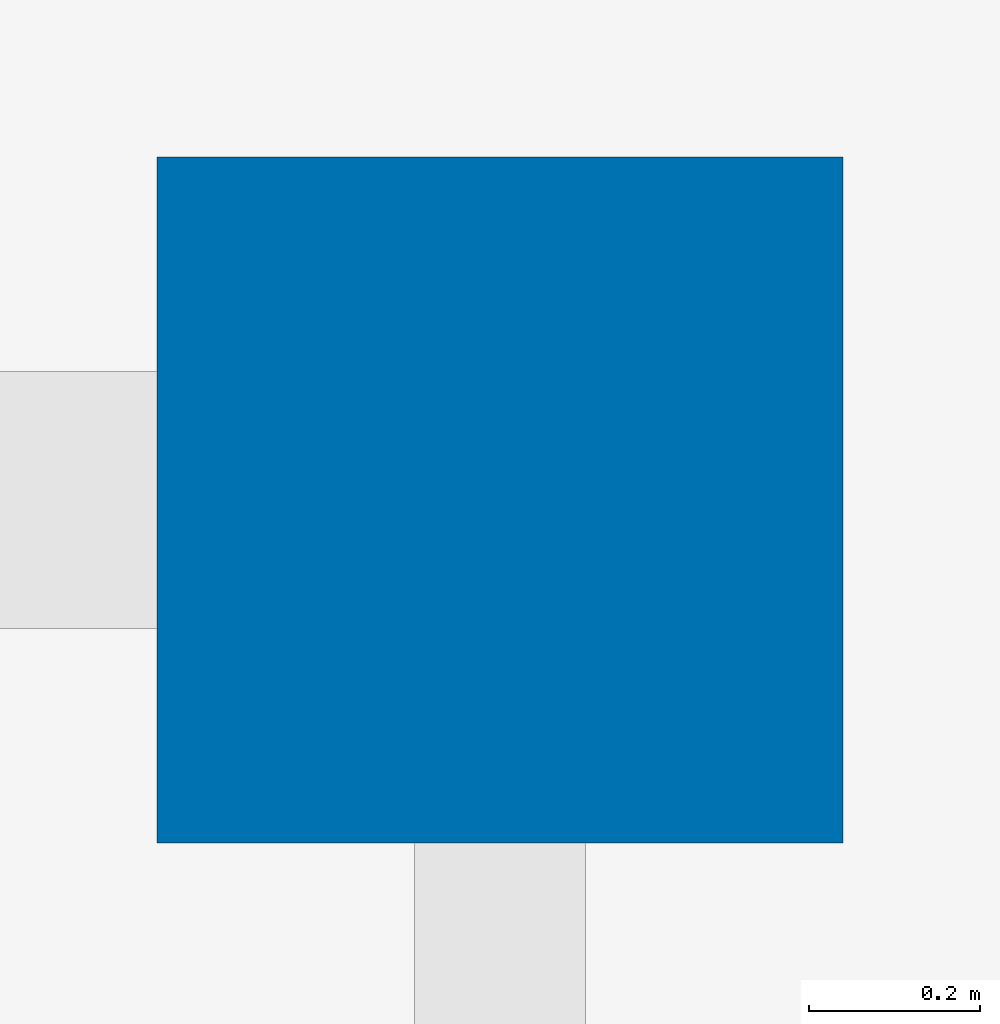
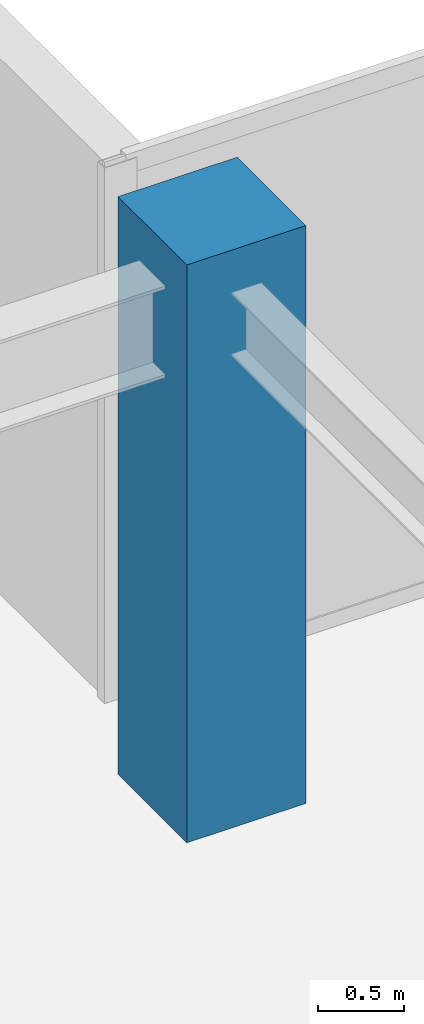
# One storey, part 4 of 33: 1 column.
"""IFC4 building model written with IfcOpenShell, lengths in metres."""

from ifc_helpers import new_model, si_unit, direction, frame, origin, origin_2d, place, context, subcontext, project, spatial, rectangle, extrude, source, transform, mapped, material, material_profile, profile_set, type_object, type_shapes, element, save


model = new_model("IFC4")

# Units and contexts
model_context = context("Model", 3, precision=1e-05, world=origin(), true_north=direction((0.0, 1.0)))
body_context = subcontext(model_context, "Body", "Model", "MODEL_VIEW")
ifc_project = project(units=[si_unit("LENGTHUNIT", "METRE"), si_unit("AREAUNIT", "SQUARE_METRE"), si_unit("VOLUMEUNIT", "CUBIC_METRE"), si_unit("PLANEANGLEUNIT", "RADIAN"), si_unit("MASSUNIT", "GRAM", prefix="KILO")], contexts=[model_context])

# Site, building, storey
site_placement = place(None, origin())
site = spatial("IfcSite", under=ifc_project, at=site_placement, CompositionType="ELEMENT")
building_placement = place(site_placement, origin())
building = spatial("IfcBuilding", under=site, at=building_placement, Name="Haelvirn Gate Laboratories", CompositionType="ELEMENT")
storey_placement = place(building_placement, frame((0.0, 0.0, 271.10009765625)))
storey = spatial("IfcBuildingStorey", under=building, at=storey_placement, Name="L65", CompositionType="ELEMENT", Elevation=271.10009765625)

# Column
ifc_material = material(Name="Concrete C50/60", Category="concrete")
ifc_material_profile = material_profile(ifc_material, rectangle(XDim=0.800048828125, YDim=0.800048828125, at=origin_2d()), Name="RC-800x800")
ifc_profile_set = profile_set([ifc_material_profile], Name="Concrete C50/60")
column_type = type_object("IfcColumnType", Name="COL-RC-800", PredefinedType="COLUMN", material=ifc_profile_set)
shared_shape = source(origin(), body_context, "Body", "SweptSolid", [
    extrude(rectangle(XDim=0.800048828125, YDim=0.800048828125, at=origin_2d()), origin(), (0.0, 0.0, 1.0), 4.099853515625),
])
type_shapes(column_type, [shared_shape])
column_placement = place(storey_placement, frame((67.39990234375, 41.60009765625, 0.0), z_axis=(0.0, 0.0, 1.0), x_axis=(1.0, 0.0, 0.0)))
element("IfcColumn", 1, at=column_placement, inside=storey, type_object=column_type, Name="L65 Column 10G", PredefinedType="COLUMN", context=body_context, shape_type="MappedRepresentation", body=[
    mapped(shared_shape, transform((0.0, 0.0, 0.0), scale=1.0)),
])

save(model, "model.ifc")
